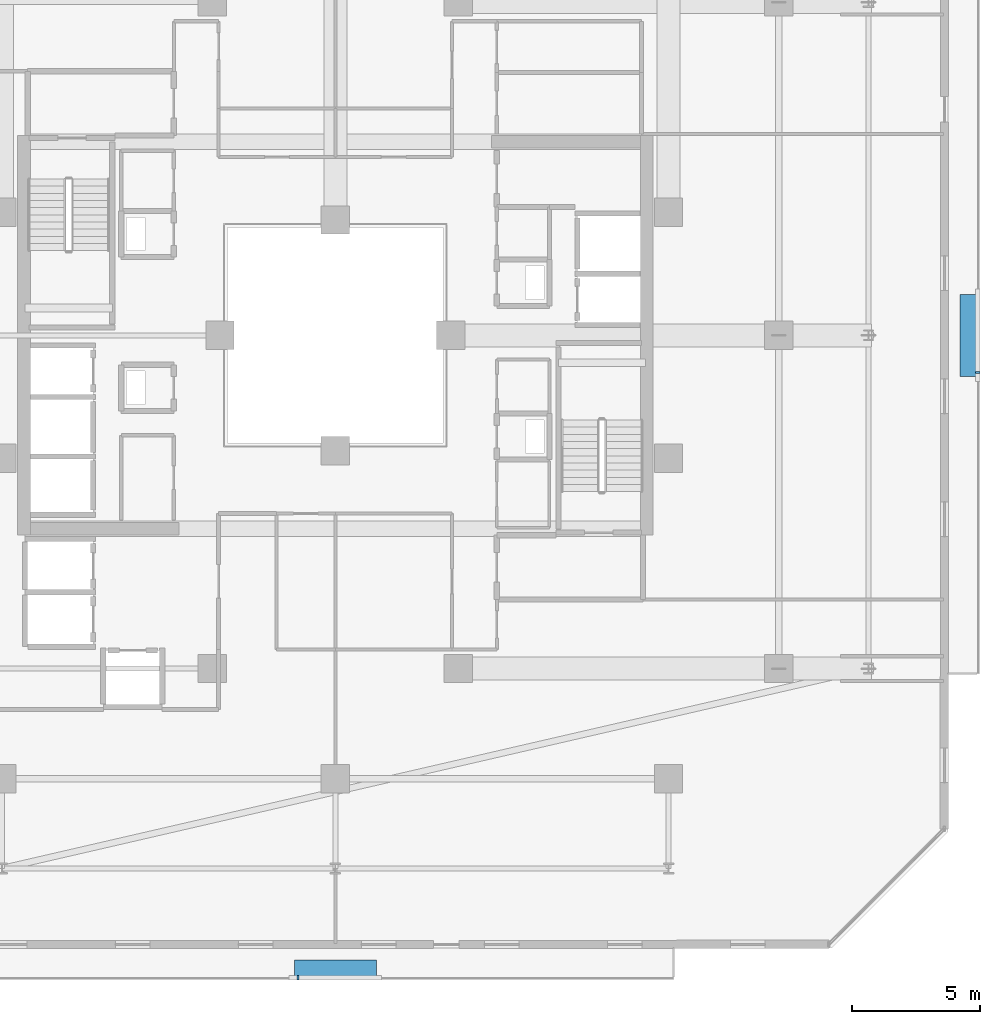
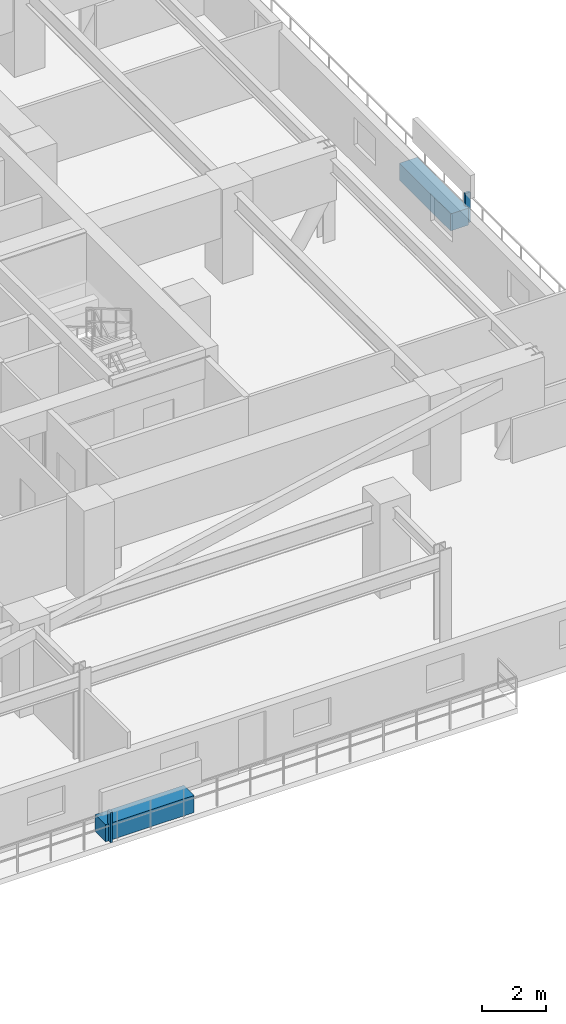
# One storey, part 30 of 35: 4 discrete accessories.
"""IFC4 building model written with IfcOpenShell, lengths in metres."""

from ifc_helpers import new_model, si_unit, direction, frame, origin, origin_2d, place, context, subcontext, project, spatial, rectangle, extrude, material, type_object, element, save


model = new_model("IFC4")

# Units and contexts
model_context = context("Model", 3, precision=1e-05, world=origin(), true_north=direction((0.0, 1.0)))
body_context = subcontext(model_context, "Body", "Model", "MODEL_VIEW")
ifc_project = project(units=[si_unit("LENGTHUNIT", "METRE"), si_unit("AREAUNIT", "SQUARE_METRE"), si_unit("VOLUMEUNIT", "CUBIC_METRE"), si_unit("PLANEANGLEUNIT", "RADIAN"), si_unit("MASSUNIT", "GRAM", prefix="KILO")], contexts=[model_context])

# Site, building, storey
site_placement = place(None, origin())
site = spatial("IfcSite", under=ifc_project, at=site_placement, CompositionType="ELEMENT")
building_placement = place(site_placement, origin())
building = spatial("IfcBuilding", under=site, at=building_placement, Name="Thornwick Lancets Civic Towers", CompositionType="ELEMENT")
storey_placement = place(building_placement, frame((0.0, 0.0, 145.5)))
storey = spatial("IfcBuildingStorey", under=building, at=storey_placement, Name="L38", CompositionType="ELEMENT", Elevation=145.5)

# Discrete accessories
ifc_material_1 = material(Name="Planted terracotta greenery planter", Category="masonry")
discrete_accessory_type_1 = type_object("IfcDiscreteAccessoryType", Name="ACC_PLANTER_BOX", PredefinedType="USERDEFINED", material=ifc_material_1)
discrete_accessory_1_placement = place(storey_placement, frame((88.5, 2.300048828125, 0.0), z_axis=(0.0, 0.0, 1.0), x_axis=(1.0, 0.0, 0.0)))
element("IfcDiscreteAccessory", 1, at=discrete_accessory_1_placement, inside=storey, type_object=discrete_accessory_type_1, Name="L38 Tower B Balcony Greenery Planter S", ObjectType="PLANTER", PredefinedType="USERDEFINED", context=body_context, shape_type="SweptSolid", body=[
    extrude(rectangle(XDim=3.199951171875, YDim=0.64990234375, at=origin_2d()), origin(), (0.0, 0.0, 1.0), 0.64990234375),
])
discrete_accessory_2_placement = place(storey_placement, frame((113.199951171875, 27.0, 0.0), z_axis=(0.0, 0.0, 1.0), x_axis=(1.0, 0.0, 0.0)))
element("IfcDiscreteAccessory", 2, at=discrete_accessory_2_placement, inside=storey, type_object=discrete_accessory_type_1, Name="L38 Tower B Balcony Greenery Planter E", ObjectType="PLANTER", PredefinedType="USERDEFINED", context=body_context, shape_type="SweptSolid", body=[
    extrude(rectangle(XDim=0.64990234375, YDim=3.199951171875, at=origin_2d()), origin(), (0.0, 0.0, 1.0), 0.64990234375),
])
ifc_material_2 = material(Name="Stainless steel S355", Category="steel")
discrete_accessory_type_2 = type_object("IfcDiscreteAccessoryType", Name="ACC_SCREEN_BRACKET", PredefinedType="BRACKET", material=ifc_material_2)
for number, where, z_axis, x_axis, name in (
    (3, (87.050048828125, 1.93994140625, 0.0), (0.0, 0.0, 1.0), (1.0, 0.0, 0.0), "L38 Tower B Balcony Screen Stanchion Bracket S-1"),
    (4, (113.56005859375, 25.550048828125, 0.0), (0.0, 0.0, 1.0), (0.0, 1.0, 0.0), "L38 Tower B Balcony Screen Stanchion Bracket E-1"),
):
    element("IfcDiscreteAccessory", number, at=place(storey_placement, frame(where, z_axis=z_axis, x_axis=x_axis)), inside=storey, type_object=discrete_accessory_type_2, Name=name, PredefinedType="BRACKET", context=body_context, shape_type="SweptSolid", body=[
        extrude(rectangle(XDim=0.080078125, YDim=0.179931640625, at=origin_2d()), origin(), (0.0, 0.0, 1.0), 1.14990234375),
    ])

save(model, "model.ifc")
